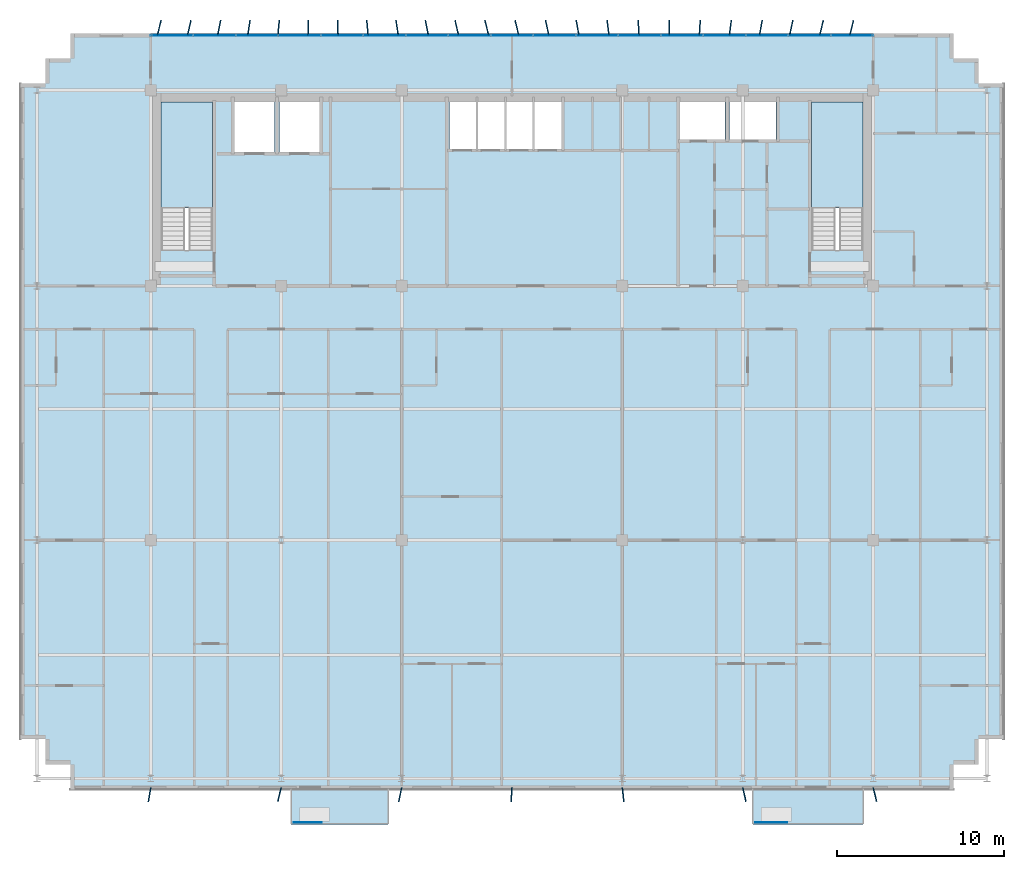
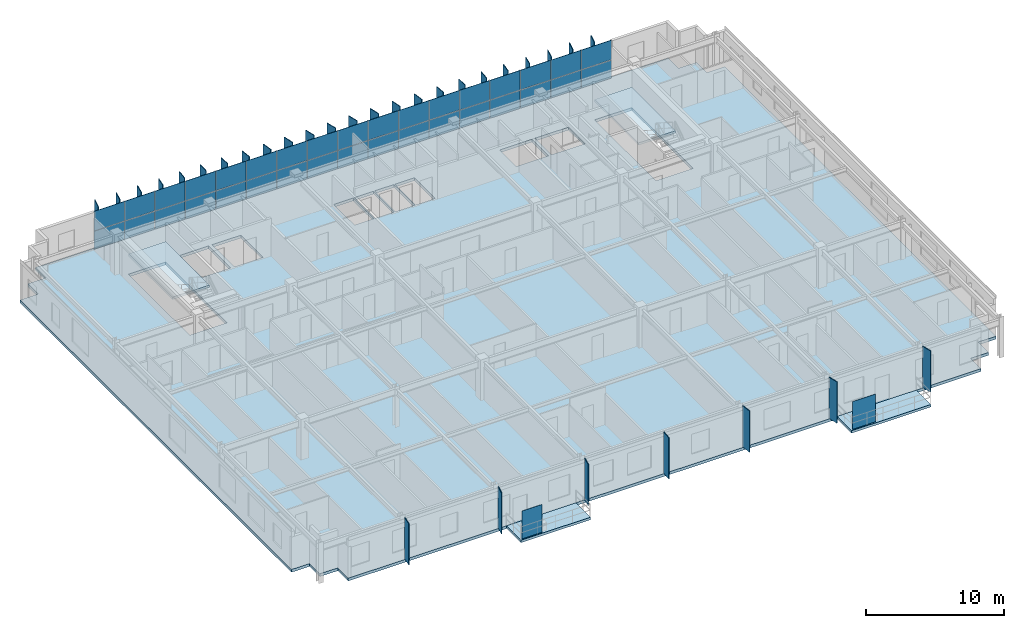
# One storey, part 13 of 21: 67 plates, 5 slabs, 3 elements without a shape of their own.
"""IFC4 building model written with IfcOpenShell, lengths in metres."""

from ifc_helpers import new_model, si_unit, direction, frame, origin, origin_2d, place, context, subcontext, project, spatial, polyline, rectangle, outline, extrude, source, transform, mapped, material, layer, layer_set, type_object, element, aggregate, save


model = new_model("IFC4")

# Units and contexts
model_context = context("Model", 3, precision=1e-05, world=origin(), true_north=direction((0.0, 1.0)))
body_context = subcontext(model_context, "Body", "Model", "MODEL_VIEW")
ifc_project = project(units=[si_unit("LENGTHUNIT", "METRE"), si_unit("AREAUNIT", "SQUARE_METRE"), si_unit("VOLUMEUNIT", "CUBIC_METRE"), si_unit("PLANEANGLEUNIT", "RADIAN"), si_unit("MASSUNIT", "GRAM", prefix="KILO")], contexts=[model_context])

# Site, building, storey
site_placement = place(None, origin())
site = spatial("IfcSite", under=ifc_project, at=site_placement, CompositionType="ELEMENT")
building_placement = place(site_placement, origin())
building = spatial("IfcBuilding", under=site, at=building_placement, Name="Trelvane Seafront Commons", CompositionType="ELEMENT")
storey_placement = place(building_placement, frame((0.0, 0.0, 157.300048828125)))
storey = spatial("IfcBuildingStorey", under=building, at=storey_placement, Name="L41", CompositionType="ELEMENT", Elevation=157.300048828125)

# Slabs
ifc_material_1 = material(Name="Concrete C40/50", Category="concrete")
ifc_layer_1 = layer(ifc_material_1, 0.219970703125, Name="ARCH-BALC-220")
ifc_layer_set_1 = layer_set([ifc_layer_1], Name="Concrete C40/50")
slab_type_1 = type_object("IfcSlabType", Name="ARCH-BALC-220", PredefinedType="FLOOR", material=ifc_layer_set_1)
slab_1_placement = place(storey_placement, frame((0.0, 0.0, -0.219970703125)))
element("IfcSlab", 1, at=slab_1_placement, inside=storey, type_object=slab_type_1, Name="L41 Cantilevered Tree Balcony Loggia 2", PredefinedType="FLOOR", context=body_context, shape_type="SweptSolid", body=[
    extrude(outline(polyline([(24.0, 1.199951171875), (29.800048828125, 1.199951171875), (29.800048828125, 3.300048828125), (24.0, 3.300048828125), (24.0, 1.199951171875)])), origin(), (0.0, 0.0, 1.0), 0.219970703125),
])
slab_2_placement = place(storey_placement, frame((0.0, 0.0, -0.219970703125)))
element("IfcSlab", 2, at=slab_2_placement, inside=storey, type_object=slab_type_1, Name="L41 Cantilevered Tree Balcony Loggia 3", PredefinedType="FLOOR", context=body_context, shape_type="SweptSolid", body=[
    extrude(outline(polyline([(51.60009765625, 1.199951171875), (58.199951171875, 1.199951171875), (58.199951171875, 3.300048828125), (51.60009765625, 3.300048828125), (51.60009765625, 1.199951171875)])), origin(), (0.0, 0.0, 1.0), 0.219970703125),
])

# Stair, slab
stair_type_1 = type_object("IfcStairType", Name="ARCH-STR-ST-1-R20-180", PredefinedType="HALF_TURN_STAIR", material=ifc_material_1)
stair_1_placement = place(storey_placement, origin())
stair_1 = element("IfcStair", 3, at=stair_1_placement, inside=storey, type_object=stair_type_1, Name="L41 West Protected Firefighting Exit Stair ST-1", PredefinedType="HALF_TURN_STAIR")
ifc_layer_2 = layer(ifc_material_1, 0.199951171875, Name="ARCH-LND-200")
ifc_layer_set_2 = layer_set([ifc_layer_2], Name="Concrete C40/50")
slab_type_2 = type_object("IfcSlabType", Name="ARCH-LND-200", PredefinedType="LANDING", material=ifc_layer_set_2)
slab_3_placement = place(storey_placement, frame((0.0, 0.0, 1.599853515625)))
slab_3 = element("IfcSlab", 4, at=slab_3_placement, type_object=slab_type_2, Name="ST-1 landing 1", PredefinedType="LANDING", context=body_context, shape_type="SweptSolid", body=[
    extrude(outline(polyline([(19.300048828125, 38.070068359375), (19.300048828125, 44.39990234375), (16.199951171875, 44.39990234375), (16.199951171875, 38.070068359375), (19.300048828125, 38.070068359375)])), origin(), (0.0, 0.0, 1.0), 0.2001953125),
])
aggregate(stair_1, [slab_3])

stair_type_2 = type_object("IfcStairType", Name="ARCH-STR-ST-2-R20-180", PredefinedType="HALF_TURN_STAIR", material=ifc_material_1)
stair_2_placement = place(storey_placement, origin())
stair_2 = element("IfcStair", 5, at=stair_2_placement, inside=storey, type_object=stair_type_2, Name="L41 East Protected Firefighting Exit Stair ST-2", PredefinedType="HALF_TURN_STAIR")
slab_4_placement = place(storey_placement, frame((0.0, 0.0, 1.599853515625)))
slab_4 = element("IfcSlab", 6, at=slab_4_placement, type_object=slab_type_2, Name="ST-2 landing 1", PredefinedType="LANDING", context=body_context, shape_type="SweptSolid", body=[
    extrude(outline(polyline([(58.199951171875, 38.070068359375), (58.199951171875, 44.39990234375), (55.10009765625, 44.39990234375), (55.10009765625, 38.070068359375), (58.199951171875, 38.070068359375)])), origin(), (0.0, 0.0, 1.0), 0.2001953125),
])
aggregate(stair_2, [slab_4])

# Slab
ifc_material_2 = material(Name="Concrete C50/60", Category="concrete")
ifc_layer_3 = layer(ifc_material_2, 0.25, Name="STR-SLB-Z3-250")
ifc_layer_set_3 = layer_set([ifc_layer_3], Name="Concrete C50/60")
slab_type_3 = type_object("IfcSlabType", Name="STR-SLB-Z3-250", PredefinedType="FLOOR", material=ifc_layer_set_3)
slab_5_placement = place(storey_placement, frame((0.0, 0.0, -0.25)))
element("IfcSlab", 7, at=slab_5_placement, inside=storey, type_object=slab_type_3, Name="L41 Structural Floor Slab", PredefinedType="FLOOR", context=body_context, shape_type="SweptSolid", body=[
    extrude(outline(polyline([(10.800048828125, 3.300048828125), (63.60009765625, 3.300048828125), (63.60009765625, 4.800048828125), (65.10009765625, 4.800048828125), (65.10009765625, 6.300048828125), (66.60009765625, 6.300048828125), (66.60009765625, 45.5), (65.10009765625, 45.5), (65.10009765625, 47.0), (63.60009765625, 47.0), (63.60009765625, 48.5), (10.800048828125, 48.5), (10.800048828125, 47.0), (9.300048828125, 47.0), (9.300048828125, 45.5), (7.800048828125, 45.5), (7.800048828125, 6.300048828125), (9.300048828125, 6.300048828125), (9.300048828125, 4.800048828125), (10.800048828125, 4.800048828125), (10.800048828125, 3.300048828125)]), holes=[polyline([(19.300048828125, 35.550048828125), (16.199951171875, 35.550048828125), (16.199951171875, 44.39990234375), (19.300048828125, 44.39990234375), (19.300048828125, 35.550048828125)]), polyline([(58.199951171875, 35.550048828125), (55.10009765625, 35.550048828125), (55.10009765625, 44.39990234375), (58.199951171875, 44.39990234375), (58.199951171875, 35.550048828125)]), polyline([(23.0, 41.39990234375), (20.60009765625, 41.39990234375), (20.60009765625, 44.60009765625), (23.0, 44.60009765625), (23.0, 41.39990234375)]), polyline([(23.300048828125, 41.39990234375), (23.300048828125, 44.60009765625), (25.699951171875, 44.60009765625), (25.699951171875, 41.39990234375), (23.300048828125, 41.39990234375)]), polyline([(33.449951171875, 41.60009765625), (33.449951171875, 44.60009765625), (35.070068359375, 44.60009765625), (35.070068359375, 41.60009765625), (33.449951171875, 41.60009765625)]), polyline([(36.77001953125, 41.60009765625), (35.14990234375, 41.60009765625), (35.14990234375, 44.60009765625), (36.77001953125, 44.60009765625), (36.77001953125, 41.60009765625)]), polyline([(38.469970703125, 41.60009765625), (36.85009765625, 41.60009765625), (36.85009765625, 44.60009765625), (38.469970703125, 44.60009765625), (38.469970703125, 41.60009765625)]), polyline([(40.169921875, 41.60009765625), (38.550048828125, 41.60009765625), (38.550048828125, 44.60009765625), (40.169921875, 44.60009765625), (40.169921875, 41.60009765625)]), polyline([(47.25, 42.14990234375), (47.25, 44.550048828125), (49.949951171875, 44.550048828125), (49.949951171875, 42.14990234375), (47.25, 42.14990234375)]), polyline([(50.199951171875, 42.14990234375), (50.199951171875, 44.550048828125), (53.0, 44.550048828125), (53.0, 42.14990234375), (50.199951171875, 42.14990234375)])]), origin(), (0.0, 0.0, 1.0), 0.25),
])

# Plates
ifc_material_3 = material(Name="Perforated anodised aluminium screen", Category="aluminium")
ifc_layer_4 = layer(ifc_material_3, 0.01611328125, Name="ARCH-PLATE-SCREEN")
ifc_layer_set_4 = layer_set([ifc_layer_4], Name="Perforated anodised aluminium screen")
plate_type_1 = type_object("IfcPlateType", Name="ARCH-PLATE-SCREEN", PredefinedType="USERDEFINED", material=ifc_layer_set_4)
shared_shape_1 = source(origin(), body_context, "Body", "SweptSolid", [
    extrude(rectangle(XDim=1.9140625, YDim=0.01611328125, at=origin_2d()), origin(), (0.0, 0.0, 1.0), 2.449951171875),
])
plate_1_placement = place(storey_placement, frame((52.70703125, 1.320068359375, 0.0), z_axis=(0.0, 0.0, 1.0), x_axis=(1.0, 0.0, 0.0)))
element("IfcPlate", 8, at=plate_1_placement, inside=storey, type_object=plate_type_1, Name="SCR-L41-00150", ObjectType="SCREEN", PredefinedType="USERDEFINED", context=body_context, shape_type="MappedRepresentation", body=[
    mapped(shared_shape_1, transform((0.0, 0.0, 0.0), x_axis=(1.0, 0.0, 0.0), y_axis=(0.0, 1.0, 0.0), z_axis=(0.0, 0.0, 1.0), scale=1.0)),
])
shared_shape_2 = source(origin(), body_context, "Body", "SweptSolid", [
    extrude(rectangle(XDim=1.681884765625, YDim=0.01611328125, at=origin_2d()), origin(), (0.0, 0.0, 1.0), 2.449951171875),
])
plate_2_placement = place(storey_placement, frame((24.990966796875, 1.320068359375, 0.0), z_axis=(0.0, 0.0, 1.0), x_axis=(1.0, 0.0, 0.0)))
element("IfcPlate", 9, at=plate_2_placement, inside=storey, type_object=plate_type_1, Name="SCR-L41-00149", ObjectType="SCREEN", PredefinedType="USERDEFINED", context=body_context, shape_type="MappedRepresentation", body=[
    mapped(shared_shape_2, transform((0.0, 0.0, 0.0), x_axis=(1.0, 0.0, 0.0), y_axis=(0.0, 1.0, 0.0), z_axis=(0.0, 0.0, 1.0), scale=1.0)),
])
ifc_material_4 = material(Name="Anodised pale-silver aluminium", Category="aluminium")
ifc_layer_5 = layer(ifc_material_4, 0.06005859375, Name="ARCH-PLATE-FIN900")
ifc_layer_set_5 = layer_set([ifc_layer_5], Name="Anodised pale-silver aluminium")
plate_type_2 = type_object("IfcPlateType", Name="ARCH-PLATE-FIN900", PredefinedType="USERDEFINED", material=ifc_layer_set_5)
shared_shape_3 = source(origin(), body_context, "Body", "SweptSolid", [
    extrude(rectangle(XDim=0.89990234375, YDim=0.06005859375, at=origin_2d()), origin(), (0.0, 0.0, 1.0), 3.639892578125),
])
for number, where, z_axis, x_axis, name in (
    (10, (16.108642578125, 48.836669921875, -0.02001953125), (0.0, 0.0, 1.0), (0.241437528624, 0.97041636413, 0.0), "FIN-L41-01123"),
    (11, (17.90283203125, 48.838134765625, -0.02001953125), (0.0, 0.0, 1.0), (0.228444325924, 0.973556978278, 0.0), "FIN-L41-01124"),
    (12, (19.689453125, 48.841064453125, -0.02001953125), (0.0, 0.0, 1.0), (0.198658111313, 0.980068852076, 0.0), "FIN-L41-01125"),
    (13, (21.46923828125, 48.8447265625, -0.02001953125), (0.0, 0.0, 1.0), (0.153993030439, 0.988071933908, 0.0), "FIN-L41-01126"),
    (14, (23.243896484375, 48.847900390625, -0.02001953125), (0.0, 0.0, 1.0), (0.097666275392, 0.995219221404, 0.0), "FIN-L41-01127"),
    (15, (25.01513671875, 48.849853515625, -0.02001953125), (0.0, 0.0, 1.0), (0.033777911894, 0.999429363521, 0.0), "FIN-L41-01128"),
    (16, (26.785400390625, 48.849853515625, -0.02001953125), (0.0, 0.0, 1.0), (-0.032666750934, 0.999466299273, 0.0), "FIN-L41-01129"),
    (17, (28.556396484375, 48.847900390625, -0.02001953125), (0.0, 0.0, 1.0), (-0.096665722721, 0.995316903328, 0.0), "FIN-L41-01130"),
    (18, (30.3310546875, 48.8447265625, -0.02001953125), (0.0, 0.0, 1.0), (-0.153108294766, 0.988209416103, 0.0), "FIN-L41-01131"),
    (19, (32.11083984375, 48.841064453125, -0.02001953125), (0.0, 0.0, 1.0), (-0.197996085969, 0.980202810617, 0.0), "FIN-L41-01132"),
    (20, (33.8974609375, 48.838134765625, -0.02001953125), (0.0, 0.0, 1.0), (-0.227999117558, 0.973661338656, 0.0), "FIN-L41-01133"),
    (21, (35.69140625, 48.836669921875, -0.02001953125), (0.0, 0.0, 1.0), (-0.241332518054, 0.970442484504, 0.0), "FIN-L41-01134"),
    (22, (37.493408203125, 48.837158203125, -0.02001953125), (0.0, 0.0, 1.0), (-0.237119617856, 0.971480461372, 0.0), "FIN-L41-01135"),
    (23, (41.119873046875, 48.8427734375, -0.02001953125), (0.0, 0.0, 1.0), (-0.178005374223, 0.984029515181, 0.0), "FIN-L41-01137"),
    (24, (42.94287109375, 48.846435546875, -0.02001953125), (0.0, 0.0, 1.0), (-0.127111350385, 0.99188845371, 0.0), "FIN-L41-01138"),
    (25, (44.77001953125, 48.84912109375, -0.02001953125), (0.0, 0.0, 1.0), (-0.066444565655, 0.997790118058, 0.0), "FIN-L41-01139"),
    (26, (46.599853515625, 48.85009765625, -0.02001953125), (0.0, 0.0, 1.0), (-0.000555014674, 0.999999845979, 0.0), "FIN-L41-01140"),
    (27, (48.429443359375, 48.84912109375, -0.02001953125), (0.0, 0.0, 1.0), (0.065331723776, 0.997863600834, 0.0), "FIN-L41-01141"),
    (28, (50.256591796875, 48.846435546875, -0.02001953125), (0.0, 0.0, 1.0), (0.126112399893, 0.99201595884, 0.0), "FIN-L41-01142"),
    (29, (52.079833984375, 48.8427734375, -0.02001953125), (0.0, 0.0, 1.0), (0.177232464427, 0.984169016761, 0.0), "FIN-L41-01143"),
    (30, (53.896728515625, 48.839599609375, -0.02001953125), (0.0, 0.0, 1.0), (0.214989307493, 0.976616402516, 0.0), "FIN-L41-01144"),
    (31, (55.70654296875, 48.837158203125, -0.02001953125), (0.0, 0.0, 1.0), (0.236883928976, 0.971537958184, 0.0), "FIN-L41-01145"),
    (32, (57.5087890625, 48.836669921875, -0.02001953125), (0.0, 0.0, 1.0), (0.241437528624, 0.97041636413, 0.0), "FIN-L41-01146"),
):
    element("IfcPlate", number, at=place(storey_placement, frame(where, z_axis=z_axis, x_axis=x_axis)), inside=storey, type_object=plate_type_2, Name=name, ObjectType="FIN", PredefinedType="USERDEFINED", context=body_context, shape_type="MappedRepresentation", body=[
        mapped(shared_shape_3, transform((0.0, 0.0, 0.0), x_axis=(1.0, 0.0, 0.0), y_axis=(0.0, 1.0, 0.0), z_axis=(0.0, 0.0, 1.0), scale=1.0)),
    ])
shared_shape_4 = source(origin(), body_context, "Body", "SweptSolid", [
    extrude(rectangle(XDim=0.900146484375, YDim=0.06005859375, at=origin_2d()), origin(), (0.0, 0.0, 1.0), 3.639892578125),
])
plate_3_placement = place(storey_placement, frame((39.302978515625, 48.83935546875, -0.02001953125), z_axis=(0.0, 0.0, 1.0), x_axis=(-0.215541536654, 0.976494672785, 0.0)))
element("IfcPlate", 33, at=plate_3_placement, inside=storey, type_object=plate_type_2, Name="FIN-L41-01136", ObjectType="FIN", PredefinedType="USERDEFINED", context=body_context, shape_type="MappedRepresentation", body=[
    mapped(shared_shape_4, transform((0.0, 0.0, 0.0), x_axis=(1.0, 0.0, 0.0), y_axis=(0.0, 1.0, 0.0), z_axis=(0.0, 0.0, 1.0), scale=1.0)),
])
shared_shape_5 = source(origin(), body_context, "Body", "SweptSolid", [
    extrude(rectangle(XDim=0.85009765625, YDim=0.06005859375, at=origin_2d()), origin(), (0.0, 0.0, 1.0), 3.639892578125),
])
for number, where, z_axis, x_axis, name in (
    (34, (15.5283203125, 2.981201171875, -0.02001953125), (0.0, 0.0, 1.0), (-0.168594321613, -0.985685525266, 0.0), "FIN-S-L41-01147"),
    (35, (23.2978515625, 2.987548828125, -0.02001953125), (0.0, 0.0, 1.0), (-0.240597365012, -0.970625008924, 0.0), "FIN-S-L41-01148"),
    (36, (30.5146484375, 2.983642578125, -0.02001953125), (0.0, 0.0, 1.0), (-0.20093259602, -0.97960506933, 0.0), "FIN-S-L41-01149"),
    (37, (37.171875, 2.97607421875, -0.02001953125), (0.0, 0.0, 1.0), (-0.066472429185, -0.997788262187, 0.0), "FIN-S-L41-01150"),
    (38, (43.8427734375, 2.97705078125, -0.02001953125), (0.0, 0.0, 1.0), (0.100471114822, -0.99493997562, 0.0), "FIN-S-L41-01151"),
    (39, (51.093017578125, 2.9853515625, -0.02001953125), (0.0, 0.0, 1.0), (0.218599700864, -0.975814619066, 0.0), "FIN-S-L41-01152"),
    (40, (58.899658203125, 2.98681640625, -0.02001953125), (0.0, 0.0, 1.0), (0.234360000378, -0.972149880534, 0.0), "FIN-S-L41-01153"),
):
    element("IfcPlate", number, at=place(storey_placement, frame(where, z_axis=z_axis, x_axis=x_axis)), inside=storey, type_object=plate_type_2, Name=name, ObjectType="FIN", PredefinedType="USERDEFINED", context=body_context, shape_type="MappedRepresentation", body=[
        mapped(shared_shape_5, transform((0.0, 0.0, 0.0), x_axis=(1.0, 0.0, 0.0), y_axis=(0.0, 1.0, 0.0), z_axis=(0.0, 0.0, 1.0), scale=1.0)),
    ])

# Curtain wall, plates
curtain_wall_type = type_object("IfcCurtainWallType", Name="ARCH-CW5-UPTOWER", PredefinedType="NOTDEFINED", material=ifc_material_4)
curtain_wall_placement = place(storey_placement, origin())
curtain_wall = element("IfcCurtainWall", 41, at=curtain_wall_placement, inside=storey, type_object=curtain_wall_type, Name="CW-L41-0068", PredefinedType="NOTDEFINED")
ifc_material_5 = material(Name="Low-E coastal double glazing", Category="glass")
ifc_layer_6 = layer(ifc_material_5, 0.033935546875, Name="ARCH-CW-GLAZ-34")
ifc_layer_set_6 = layer_set([ifc_layer_6], Name="Low-E coastal double glazing")
plate_type_3 = type_object("IfcPlateType", Name="ARCH-CW-GLAZ-34", PredefinedType="CURTAIN_PANEL", material=ifc_layer_set_6)
shared_shape_6 = source(origin(), body_context, "Body", "SweptSolid", [
    extrude(rectangle(XDim=2.51708984375, YDim=0.033935546875, at=origin_2d()), origin(), (0.0, 0.0, 1.0), 1.590087890625),
])
plate_4_placement = place(storey_placement, frame((16.87060546875, 48.3701171875, 0.0), z_axis=(0.0, 0.0, 1.0), x_axis=(1.0, 0.0, 0.0)))
plate_4 = element("IfcPlate", 42, at=plate_4_placement, type_object=plate_type_3, Name="CW-L41-0068-P00-1", PredefinedType="CURTAIN_PANEL", context=body_context, shape_type="MappedRepresentation", body=[
    mapped(shared_shape_6, transform((0.0, 0.0, 0.0), x_axis=(1.0, 0.0, 0.0), y_axis=(0.0, 1.0, 0.0), z_axis=(0.0, 0.0, 1.0), scale=1.0)),
])
plate_5_placement = place(storey_placement, frame((19.411865234375, 48.3701171875, 0.0), z_axis=(0.0, 0.0, 1.0), x_axis=(1.0, 0.0, 0.0)))
plate_5 = element("IfcPlate", 43, at=plate_5_placement, type_object=plate_type_3, Name="CW-L41-0068-P01-1", PredefinedType="CURTAIN_PANEL", context=body_context, shape_type="MappedRepresentation", body=[
    mapped(shared_shape_6, transform((0.0, 0.0, 0.0), x_axis=(1.0, 0.0, 0.0), y_axis=(0.0, 1.0, 0.0), z_axis=(0.0, 0.0, 1.0), scale=1.0)),
])
plate_6_placement = place(storey_placement, frame((21.952880859375, 48.3701171875, 0.0), z_axis=(0.0, 0.0, 1.0), x_axis=(1.0, 0.0, 0.0)))
plate_6 = element("IfcPlate", 44, at=plate_6_placement, type_object=plate_type_3, Name="CW-L41-0068-P02-1", PredefinedType="CURTAIN_PANEL", context=body_context, shape_type="MappedRepresentation", body=[
    mapped(shared_shape_6, transform((0.0, 0.0, 0.0), x_axis=(1.0, 0.0, 0.0), y_axis=(0.0, 1.0, 0.0), z_axis=(0.0, 0.0, 1.0), scale=1.0)),
])
plate_7_placement = place(storey_placement, frame((24.494140625, 48.3701171875, 0.0), z_axis=(0.0, 0.0, 1.0), x_axis=(1.0, 0.0, 0.0)))
plate_7 = element("IfcPlate", 45, at=plate_7_placement, type_object=plate_type_3, Name="CW-L41-0068-P03-1", PredefinedType="CURTAIN_PANEL", context=body_context, shape_type="MappedRepresentation", body=[
    mapped(shared_shape_6, transform((0.0, 0.0, 0.0), x_axis=(1.0, 0.0, 0.0), y_axis=(0.0, 1.0, 0.0), z_axis=(0.0, 0.0, 1.0), scale=1.0)),
])
plate_8_placement = place(storey_placement, frame((27.035400390625, 48.3701171875, 0.0), z_axis=(0.0, 0.0, 1.0), x_axis=(1.0, 0.0, 0.0)))
plate_8 = element("IfcPlate", 46, at=plate_8_placement, type_object=plate_type_3, Name="CW-L41-0068-P04-1", PredefinedType="CURTAIN_PANEL", context=body_context, shape_type="MappedRepresentation", body=[
    mapped(shared_shape_6, transform((0.0, 0.0, 0.0), x_axis=(1.0, 0.0, 0.0), y_axis=(0.0, 1.0, 0.0), z_axis=(0.0, 0.0, 1.0), scale=1.0)),
])
plate_9_placement = place(storey_placement, frame((29.576416015625, 48.3701171875, 0.0), z_axis=(0.0, 0.0, 1.0), x_axis=(1.0, 0.0, 0.0)))
plate_9 = element("IfcPlate", 47, at=plate_9_placement, type_object=plate_type_3, Name="CW-L41-0068-P05-1", PredefinedType="CURTAIN_PANEL", context=body_context, shape_type="MappedRepresentation", body=[
    mapped(shared_shape_6, transform((0.0, 0.0, 0.0), x_axis=(1.0, 0.0, 0.0), y_axis=(0.0, 1.0, 0.0), z_axis=(0.0, 0.0, 1.0), scale=1.0)),
])
plate_10_placement = place(storey_placement, frame((32.11767578125, 48.3701171875, 0.0), z_axis=(0.0, 0.0, 1.0), x_axis=(1.0, 0.0, 0.0)))
plate_10 = element("IfcPlate", 48, at=plate_10_placement, type_object=plate_type_3, Name="CW-L41-0068-P06-1", PredefinedType="CURTAIN_PANEL", context=body_context, shape_type="MappedRepresentation", body=[
    mapped(shared_shape_6, transform((0.0, 0.0, 0.0), x_axis=(1.0, 0.0, 0.0), y_axis=(0.0, 1.0, 0.0), z_axis=(0.0, 0.0, 1.0), scale=1.0)),
])
plate_11_placement = place(storey_placement, frame((34.65869140625, 48.3701171875, 0.0), z_axis=(0.0, 0.0, 1.0), x_axis=(1.0, 0.0, 0.0)))
plate_11 = element("IfcPlate", 49, at=plate_11_placement, type_object=plate_type_3, Name="CW-L41-0068-P07-1", PredefinedType="CURTAIN_PANEL", context=body_context, shape_type="MappedRepresentation", body=[
    mapped(shared_shape_6, transform((0.0, 0.0, 0.0), x_axis=(1.0, 0.0, 0.0), y_axis=(0.0, 1.0, 0.0), z_axis=(0.0, 0.0, 1.0), scale=1.0)),
])
plate_12_placement = place(storey_placement, frame((37.199951171875, 48.3701171875, 0.0), z_axis=(0.0, 0.0, 1.0), x_axis=(1.0, 0.0, 0.0)))
plate_12 = element("IfcPlate", 50, at=plate_12_placement, type_object=plate_type_3, Name="CW-L41-0068-P08-1", PredefinedType="CURTAIN_PANEL", context=body_context, shape_type="MappedRepresentation", body=[
    mapped(shared_shape_6, transform((0.0, 0.0, 0.0), x_axis=(1.0, 0.0, 0.0), y_axis=(0.0, 1.0, 0.0), z_axis=(0.0, 0.0, 1.0), scale=1.0)),
])
plate_13_placement = place(storey_placement, frame((39.7412109375, 48.3701171875, 0.0), z_axis=(0.0, 0.0, 1.0), x_axis=(1.0, 0.0, 0.0)))
plate_13 = element("IfcPlate", 51, at=plate_13_placement, type_object=plate_type_3, Name="CW-L41-0068-P09-1", PredefinedType="CURTAIN_PANEL", context=body_context, shape_type="MappedRepresentation", body=[
    mapped(shared_shape_6, transform((0.0, 0.0, 0.0), x_axis=(1.0, 0.0, 0.0), y_axis=(0.0, 1.0, 0.0), z_axis=(0.0, 0.0, 1.0), scale=1.0)),
])
plate_14_placement = place(storey_placement, frame((42.282470703125, 48.3701171875, 0.0), z_axis=(0.0, 0.0, 1.0), x_axis=(1.0, 0.0, 0.0)))
plate_14 = element("IfcPlate", 52, at=plate_14_placement, type_object=plate_type_3, Name="CW-L41-0068-P10-1", PredefinedType="CURTAIN_PANEL", context=body_context, shape_type="MappedRepresentation", body=[
    mapped(shared_shape_6, transform((0.0, 0.0, 0.0), x_axis=(1.0, 0.0, 0.0), y_axis=(0.0, 1.0, 0.0), z_axis=(0.0, 0.0, 1.0), scale=1.0)),
])
plate_15_placement = place(storey_placement, frame((44.823486328125, 48.3701171875, 0.0), z_axis=(0.0, 0.0, 1.0), x_axis=(1.0, 0.0, 0.0)))
plate_15 = element("IfcPlate", 53, at=plate_15_placement, type_object=plate_type_3, Name="CW-L41-0068-P11-1", PredefinedType="CURTAIN_PANEL", context=body_context, shape_type="MappedRepresentation", body=[
    mapped(shared_shape_6, transform((0.0, 0.0, 0.0), x_axis=(1.0, 0.0, 0.0), y_axis=(0.0, 1.0, 0.0), z_axis=(0.0, 0.0, 1.0), scale=1.0)),
])
plate_16_placement = place(storey_placement, frame((47.36474609375, 48.3701171875, 0.0), z_axis=(0.0, 0.0, 1.0), x_axis=(1.0, 0.0, 0.0)))
plate_16 = element("IfcPlate", 54, at=plate_16_placement, type_object=plate_type_3, Name="CW-L41-0068-P12-1", PredefinedType="CURTAIN_PANEL", context=body_context, shape_type="MappedRepresentation", body=[
    mapped(shared_shape_6, transform((0.0, 0.0, 0.0), x_axis=(1.0, 0.0, 0.0), y_axis=(0.0, 1.0, 0.0), z_axis=(0.0, 0.0, 1.0), scale=1.0)),
])
plate_17_placement = place(storey_placement, frame((49.906005859375, 48.3701171875, 0.0), z_axis=(0.0, 0.0, 1.0), x_axis=(1.0, 0.0, 0.0)))
plate_17 = element("IfcPlate", 55, at=plate_17_placement, type_object=plate_type_3, Name="CW-L41-0068-P13-1", PredefinedType="CURTAIN_PANEL", context=body_context, shape_type="MappedRepresentation", body=[
    mapped(shared_shape_6, transform((0.0, 0.0, 0.0), x_axis=(1.0, 0.0, 0.0), y_axis=(0.0, 1.0, 0.0), z_axis=(0.0, 0.0, 1.0), scale=1.0)),
])
plate_18_placement = place(storey_placement, frame((52.447021484375, 48.3701171875, 0.0), z_axis=(0.0, 0.0, 1.0), x_axis=(1.0, 0.0, 0.0)))
plate_18 = element("IfcPlate", 56, at=plate_18_placement, type_object=plate_type_3, Name="CW-L41-0068-P14-1", PredefinedType="CURTAIN_PANEL", context=body_context, shape_type="MappedRepresentation", body=[
    mapped(shared_shape_6, transform((0.0, 0.0, 0.0), x_axis=(1.0, 0.0, 0.0), y_axis=(0.0, 1.0, 0.0), z_axis=(0.0, 0.0, 1.0), scale=1.0)),
])
plate_19_placement = place(storey_placement, frame((54.98828125, 48.3701171875, 0.0), z_axis=(0.0, 0.0, 1.0), x_axis=(1.0, 0.0, 0.0)))
plate_19 = element("IfcPlate", 57, at=plate_19_placement, type_object=plate_type_3, Name="CW-L41-0068-P15-1", PredefinedType="CURTAIN_PANEL", context=body_context, shape_type="MappedRepresentation", body=[
    mapped(shared_shape_6, transform((0.0, 0.0, 0.0), x_axis=(1.0, 0.0, 0.0), y_axis=(0.0, 1.0, 0.0), z_axis=(0.0, 0.0, 1.0), scale=1.0)),
])
plate_20_placement = place(storey_placement, frame((57.529296875, 48.3701171875, 0.0), z_axis=(0.0, 0.0, 1.0), x_axis=(1.0, 0.0, 0.0)))
plate_20 = element("IfcPlate", 58, at=plate_20_placement, type_object=plate_type_3, Name="CW-L41-0068-P16-1", PredefinedType="CURTAIN_PANEL", context=body_context, shape_type="MappedRepresentation", body=[
    mapped(shared_shape_6, transform((0.0, 0.0, 0.0), x_axis=(1.0, 0.0, 0.0), y_axis=(0.0, 1.0, 0.0), z_axis=(0.0, 0.0, 1.0), scale=1.0)),
])
shared_shape_7 = source(origin(), body_context, "Body", "SweptSolid", [
    extrude(rectangle(XDim=2.51708984375, YDim=0.033935546875, at=origin_2d()), origin(), (0.0, 0.0, 1.0), 1.72412109375),
])
plate_21_placement = place(storey_placement, frame((16.87060546875, 48.3701171875, 1.6259765625), z_axis=(0.0, 0.0, 1.0), x_axis=(1.0, 0.0, 0.0)))
plate_21 = element("IfcPlate", 59, at=plate_21_placement, type_object=plate_type_3, Name="CW-L41-0068-P00-2", PredefinedType="CURTAIN_PANEL", context=body_context, shape_type="MappedRepresentation", body=[
    mapped(shared_shape_7, transform((0.0, 0.0, 0.0), x_axis=(1.0, 0.0, 0.0), y_axis=(0.0, 1.0, 0.0), z_axis=(0.0, 0.0, 1.0), scale=1.0)),
])
plate_22_placement = place(storey_placement, frame((19.411865234375, 48.3701171875, 1.6259765625), z_axis=(0.0, 0.0, 1.0), x_axis=(1.0, 0.0, 0.0)))
plate_22 = element("IfcPlate", 60, at=plate_22_placement, type_object=plate_type_3, Name="CW-L41-0068-P01-2", PredefinedType="CURTAIN_PANEL", context=body_context, shape_type="MappedRepresentation", body=[
    mapped(shared_shape_7, transform((0.0, 0.0, 0.0), x_axis=(1.0, 0.0, 0.0), y_axis=(0.0, 1.0, 0.0), z_axis=(0.0, 0.0, 1.0), scale=1.0)),
])
plate_23_placement = place(storey_placement, frame((21.952880859375, 48.3701171875, 1.6259765625), z_axis=(0.0, 0.0, 1.0), x_axis=(1.0, 0.0, 0.0)))
plate_23 = element("IfcPlate", 61, at=plate_23_placement, type_object=plate_type_3, Name="CW-L41-0068-P02-2", PredefinedType="CURTAIN_PANEL", context=body_context, shape_type="MappedRepresentation", body=[
    mapped(shared_shape_7, transform((0.0, 0.0, 0.0), x_axis=(1.0, 0.0, 0.0), y_axis=(0.0, 1.0, 0.0), z_axis=(0.0, 0.0, 1.0), scale=1.0)),
])
plate_24_placement = place(storey_placement, frame((24.494140625, 48.3701171875, 1.6259765625), z_axis=(0.0, 0.0, 1.0), x_axis=(1.0, 0.0, 0.0)))
plate_24 = element("IfcPlate", 62, at=plate_24_placement, type_object=plate_type_3, Name="CW-L41-0068-P03-2", PredefinedType="CURTAIN_PANEL", context=body_context, shape_type="MappedRepresentation", body=[
    mapped(shared_shape_7, transform((0.0, 0.0, 0.0), x_axis=(1.0, 0.0, 0.0), y_axis=(0.0, 1.0, 0.0), z_axis=(0.0, 0.0, 1.0), scale=1.0)),
])
plate_25_placement = place(storey_placement, frame((27.035400390625, 48.3701171875, 1.6259765625), z_axis=(0.0, 0.0, 1.0), x_axis=(1.0, 0.0, 0.0)))
plate_25 = element("IfcPlate", 63, at=plate_25_placement, type_object=plate_type_3, Name="CW-L41-0068-P04-2", PredefinedType="CURTAIN_PANEL", context=body_context, shape_type="MappedRepresentation", body=[
    mapped(shared_shape_7, transform((0.0, 0.0, 0.0), x_axis=(1.0, 0.0, 0.0), y_axis=(0.0, 1.0, 0.0), z_axis=(0.0, 0.0, 1.0), scale=1.0)),
])
plate_26_placement = place(storey_placement, frame((29.576416015625, 48.3701171875, 1.6259765625), z_axis=(0.0, 0.0, 1.0), x_axis=(1.0, 0.0, 0.0)))
plate_26 = element("IfcPlate", 64, at=plate_26_placement, type_object=plate_type_3, Name="CW-L41-0068-P05-2", PredefinedType="CURTAIN_PANEL", context=body_context, shape_type="MappedRepresentation", body=[
    mapped(shared_shape_7, transform((0.0, 0.0, 0.0), x_axis=(1.0, 0.0, 0.0), y_axis=(0.0, 1.0, 0.0), z_axis=(0.0, 0.0, 1.0), scale=1.0)),
])
plate_27_placement = place(storey_placement, frame((32.11767578125, 48.3701171875, 1.6259765625), z_axis=(0.0, 0.0, 1.0), x_axis=(1.0, 0.0, 0.0)))
plate_27 = element("IfcPlate", 65, at=plate_27_placement, type_object=plate_type_3, Name="CW-L41-0068-P06-2", PredefinedType="CURTAIN_PANEL", context=body_context, shape_type="MappedRepresentation", body=[
    mapped(shared_shape_7, transform((0.0, 0.0, 0.0), x_axis=(1.0, 0.0, 0.0), y_axis=(0.0, 1.0, 0.0), z_axis=(0.0, 0.0, 1.0), scale=1.0)),
])
plate_28_placement = place(storey_placement, frame((34.65869140625, 48.3701171875, 1.6259765625), z_axis=(0.0, 0.0, 1.0), x_axis=(1.0, 0.0, 0.0)))
plate_28 = element("IfcPlate", 66, at=plate_28_placement, type_object=plate_type_3, Name="CW-L41-0068-P07-2", PredefinedType="CURTAIN_PANEL", context=body_context, shape_type="MappedRepresentation", body=[
    mapped(shared_shape_7, transform((0.0, 0.0, 0.0), x_axis=(1.0, 0.0, 0.0), y_axis=(0.0, 1.0, 0.0), z_axis=(0.0, 0.0, 1.0), scale=1.0)),
])
plate_29_placement = place(storey_placement, frame((37.199951171875, 48.3701171875, 1.6259765625), z_axis=(0.0, 0.0, 1.0), x_axis=(1.0, 0.0, 0.0)))
plate_29 = element("IfcPlate", 67, at=plate_29_placement, type_object=plate_type_3, Name="CW-L41-0068-P08-2", PredefinedType="CURTAIN_PANEL", context=body_context, shape_type="MappedRepresentation", body=[
    mapped(shared_shape_7, transform((0.0, 0.0, 0.0), x_axis=(1.0, 0.0, 0.0), y_axis=(0.0, 1.0, 0.0), z_axis=(0.0, 0.0, 1.0), scale=1.0)),
])
plate_30_placement = place(storey_placement, frame((39.7412109375, 48.3701171875, 1.6259765625), z_axis=(0.0, 0.0, 1.0), x_axis=(1.0, 0.0, 0.0)))
plate_30 = element("IfcPlate", 68, at=plate_30_placement, type_object=plate_type_3, Name="CW-L41-0068-P09-2", PredefinedType="CURTAIN_PANEL", context=body_context, shape_type="MappedRepresentation", body=[
    mapped(shared_shape_7, transform((0.0, 0.0, 0.0), x_axis=(1.0, 0.0, 0.0), y_axis=(0.0, 1.0, 0.0), z_axis=(0.0, 0.0, 1.0), scale=1.0)),
])
plate_31_placement = place(storey_placement, frame((42.282470703125, 48.3701171875, 1.6259765625), z_axis=(0.0, 0.0, 1.0), x_axis=(1.0, 0.0, 0.0)))
plate_31 = element("IfcPlate", 69, at=plate_31_placement, type_object=plate_type_3, Name="CW-L41-0068-P10-2", PredefinedType="CURTAIN_PANEL", context=body_context, shape_type="MappedRepresentation", body=[
    mapped(shared_shape_7, transform((0.0, 0.0, 0.0), x_axis=(1.0, 0.0, 0.0), y_axis=(0.0, 1.0, 0.0), z_axis=(0.0, 0.0, 1.0), scale=1.0)),
])
plate_32_placement = place(storey_placement, frame((44.823486328125, 48.3701171875, 1.6259765625), z_axis=(0.0, 0.0, 1.0), x_axis=(1.0, 0.0, 0.0)))
plate_32 = element("IfcPlate", 70, at=plate_32_placement, type_object=plate_type_3, Name="CW-L41-0068-P11-2", PredefinedType="CURTAIN_PANEL", context=body_context, shape_type="MappedRepresentation", body=[
    mapped(shared_shape_7, transform((0.0, 0.0, 0.0), x_axis=(1.0, 0.0, 0.0), y_axis=(0.0, 1.0, 0.0), z_axis=(0.0, 0.0, 1.0), scale=1.0)),
])
plate_33_placement = place(storey_placement, frame((47.36474609375, 48.3701171875, 1.6259765625), z_axis=(0.0, 0.0, 1.0), x_axis=(1.0, 0.0, 0.0)))
plate_33 = element("IfcPlate", 71, at=plate_33_placement, type_object=plate_type_3, Name="CW-L41-0068-P12-2", PredefinedType="CURTAIN_PANEL", context=body_context, shape_type="MappedRepresentation", body=[
    mapped(shared_shape_7, transform((0.0, 0.0, 0.0), x_axis=(1.0, 0.0, 0.0), y_axis=(0.0, 1.0, 0.0), z_axis=(0.0, 0.0, 1.0), scale=1.0)),
])
plate_34_placement = place(storey_placement, frame((49.906005859375, 48.3701171875, 1.6259765625), z_axis=(0.0, 0.0, 1.0), x_axis=(1.0, 0.0, 0.0)))
plate_34 = element("IfcPlate", 72, at=plate_34_placement, type_object=plate_type_3, Name="CW-L41-0068-P13-2", PredefinedType="CURTAIN_PANEL", context=body_context, shape_type="MappedRepresentation", body=[
    mapped(shared_shape_7, transform((0.0, 0.0, 0.0), x_axis=(1.0, 0.0, 0.0), y_axis=(0.0, 1.0, 0.0), z_axis=(0.0, 0.0, 1.0), scale=1.0)),
])
plate_35_placement = place(storey_placement, frame((52.447021484375, 48.3701171875, 1.6259765625), z_axis=(0.0, 0.0, 1.0), x_axis=(1.0, 0.0, 0.0)))
plate_35 = element("IfcPlate", 73, at=plate_35_placement, type_object=plate_type_3, Name="CW-L41-0068-P14-2", PredefinedType="CURTAIN_PANEL", context=body_context, shape_type="MappedRepresentation", body=[
    mapped(shared_shape_7, transform((0.0, 0.0, 0.0), x_axis=(1.0, 0.0, 0.0), y_axis=(0.0, 1.0, 0.0), z_axis=(0.0, 0.0, 1.0), scale=1.0)),
])
plate_36_placement = place(storey_placement, frame((54.98828125, 48.3701171875, 1.6259765625), z_axis=(0.0, 0.0, 1.0), x_axis=(1.0, 0.0, 0.0)))
plate_36 = element("IfcPlate", 74, at=plate_36_placement, type_object=plate_type_3, Name="CW-L41-0068-P15-2", PredefinedType="CURTAIN_PANEL", context=body_context, shape_type="MappedRepresentation", body=[
    mapped(shared_shape_7, transform((0.0, 0.0, 0.0), x_axis=(1.0, 0.0, 0.0), y_axis=(0.0, 1.0, 0.0), z_axis=(0.0, 0.0, 1.0), scale=1.0)),
])
plate_37_placement = place(storey_placement, frame((57.529296875, 48.3701171875, 1.6259765625), z_axis=(0.0, 0.0, 1.0), x_axis=(1.0, 0.0, 0.0)))
plate_37 = element("IfcPlate", 75, at=plate_37_placement, type_object=plate_type_3, Name="CW-L41-0068-P16-2", PredefinedType="CURTAIN_PANEL", context=body_context, shape_type="MappedRepresentation", body=[
    mapped(shared_shape_7, transform((0.0, 0.0, 0.0), x_axis=(1.0, 0.0, 0.0), y_axis=(0.0, 1.0, 0.0), z_axis=(0.0, 0.0, 1.0), scale=1.0)),
])
aggregate(curtain_wall, [plate_4, plate_21, plate_5, plate_22, plate_6, plate_23, plate_7, plate_24, plate_8, plate_25, plate_9, plate_26, plate_10, plate_27, plate_11, plate_28, plate_12, plate_29, plate_13, plate_30, plate_14, plate_31, plate_15, plate_32, plate_16, plate_33, plate_17, plate_34, plate_18, plate_35, plate_19, plate_36, plate_20, plate_37])

save(model, "model.ifc")
